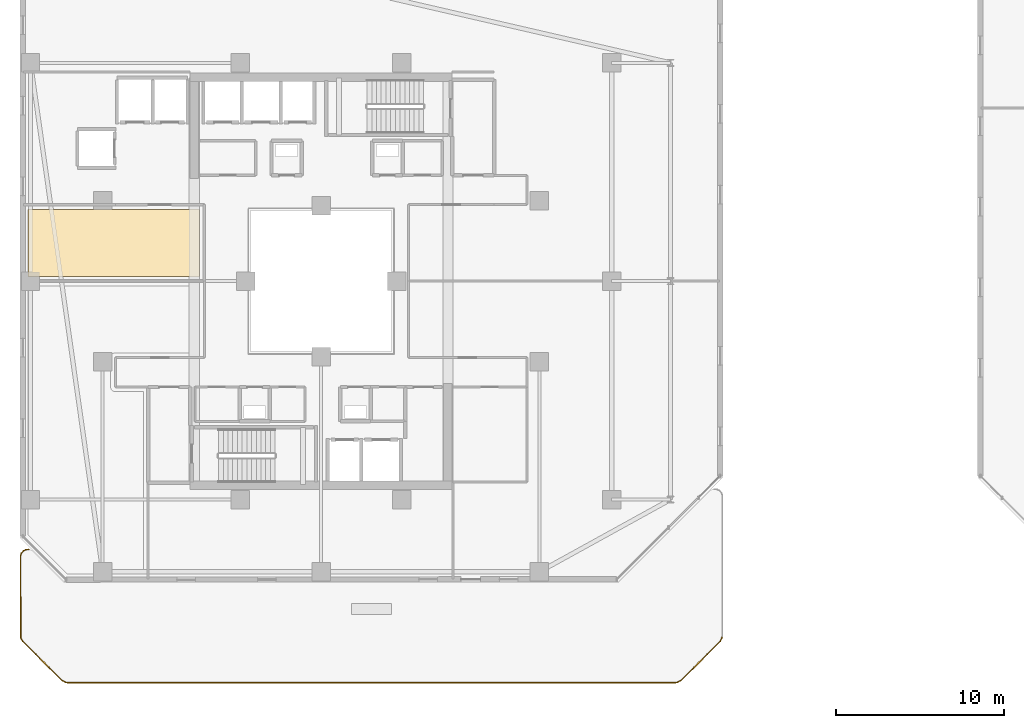
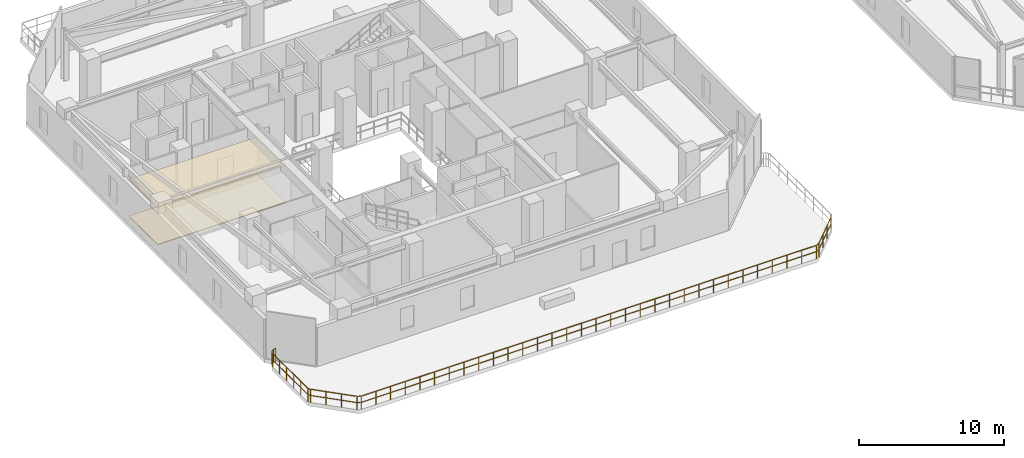
# One storey, part 29 of 33: 2 coverings, 1 railing.
"""IFC4 building model written with IfcOpenShell, lengths in metres."""

from ifc_helpers import new_model, si_unit, direction, frame, origin, origin_2d, place, context, subcontext, project, spatial, polyline, rectangle, outline, extrude, material, layer, layer_set, type_object, element, save


model = new_model("IFC4")

# Units and contexts
model_context = context("Model", 3, precision=1e-05, world=origin(), true_north=direction((0.0, 1.0)))
body_context = subcontext(model_context, "Body", "Model", "MODEL_VIEW")
ifc_project = project(units=[si_unit("LENGTHUNIT", "METRE"), si_unit("AREAUNIT", "SQUARE_METRE"), si_unit("VOLUMEUNIT", "CUBIC_METRE"), si_unit("PLANEANGLEUNIT", "RADIAN"), si_unit("MASSUNIT", "GRAM", prefix="KILO")], contexts=[model_context])

# Site, building, storey
site_placement = place(None, origin())
site = spatial("IfcSite", under=ifc_project, at=site_placement, CompositionType="ELEMENT")
building_placement = place(site_placement, origin())
building = spatial("IfcBuilding", under=site, at=building_placement, Name="Thornwick Lancets Civic Towers", CompositionType="ELEMENT")
storey_placement = place(building_placement, frame((0.0, 0.0, 174.300048828125)))
storey = spatial("IfcBuildingStorey", under=building, at=storey_placement, Name="L46", CompositionType="ELEMENT", Elevation=174.300048828125)

# Coverings
ifc_material_1 = material(Name="Perforated mineral acoustic ceiling tile")
ifc_layer_1 = layer(ifc_material_1, 0.0400390625, Name="Perforated mineral acoustic ceiling tile")
ifc_layer_set_1 = layer_set([ifc_layer_1], Name="Perforated mineral acoustic ceiling tile")
covering_type_1 = type_object("IfcCoveringType", Name="COV_CEIL_ACOUSTIC", PredefinedType="CEILING", material=ifc_layer_set_1)
covering_1_placement = place(storey_placement, frame((0.0, 0.0, 3.10498046875)))
element("IfcCovering", 1, at=covering_1_placement, inside=storey, type_object=covering_type_1, Name="L46 Tower A Policy Briefing Room W2 Ceiling", PredefinedType="CEILING", context=body_context, shape_type="SweptSolid", body=[
    extrude(outline(polyline([(8.06005859375, 31.27001953125), (18.27001953125, 31.27001953125), (18.27001953125, 27.280029296875), (8.06005859375, 27.280029296875), (8.06005859375, 31.27001953125)])), origin(), (0.0, 0.0, 1.0), 0.0400390625),
])
ifc_material_2 = material(Name="Calcium-sulfate raised access floor panel")
ifc_layer_2 = layer(ifc_material_2, 0.050048828125, Name="Calcium-sulfate raised access floor panel")
ifc_layer_set_2 = layer_set([ifc_layer_2], Name="Calcium-sulfate raised access floor panel")
covering_type_2 = type_object("IfcCoveringType", Name="COV_FLOOR_RAISED", PredefinedType="FLOORING", material=ifc_layer_set_2)
covering_2_placement = place(storey_placement, origin())
element("IfcCovering", 2, at=covering_2_placement, inside=storey, type_object=covering_type_2, Name="L46 Tower A Policy Briefing Room W2 Raised Access Flooring", PredefinedType="FLOORING", context=body_context, shape_type="SweptSolid", body=[
    extrude(outline(polyline([(8.06005859375, 31.27001953125), (18.27001953125, 31.27001953125), (18.27001953125, 27.280029296875), (8.06005859375, 27.280029296875), (8.06005859375, 31.27001953125)])), origin(), (0.0, 0.0, 1.0), 0.050048828125),
])

# Railing
ifc_material_3 = material(Name="Terracotta-capped laminated glass balustrade S355", Category="masonry")
railing_type = type_object("IfcRailingType", Name="RAIL_TERR_GUARD", PredefinedType="GUARDRAIL", material=ifc_material_3)
railing_placement = place(storey_placement, frame((49.397705078125, 5.84228515625, 0.0)))
element("IfcRailing", 3, at=railing_placement, inside=storey, type_object=railing_type, Name="L46 Tower A Sky-Garden Guard 1 Part 1", PredefinedType="GUARDRAIL", context=body_context, shape_type="SweptSolid", body=[
    extrude(rectangle(XDim=0.048095703125, YDim=0.048095703125, at=origin_2d()), frame((0.0, 0.0, 1.1259765625), z_axis=(-0.426805098696, -0.904343633652, 0.0), x_axis=(0.904343633652, -0.426805098696, 0.0)), (0.0, 0.0, 1.0), 0.27197265625),
    extrude(rectangle(XDim=0.0419921875, YDim=0.0419921875, at=origin_2d()), frame((-0.01611328125, -0.033935546875, 0.597900390625), z_axis=(-0.426805098696, -0.904343633652, 0.0), x_axis=(0.904343633652, -0.426805098696, 0.0)), (0.0, 0.0, 1.0), 0.228271484375),
    extrude(rectangle(XDim=0.048095703125, YDim=0.048095703125, at=origin_2d()), frame((-0.151611328125, -0.29638671875, 1.1259765625), z_axis=(-0.707106781187, -0.707106781187, 0.0), x_axis=(0.707106781187, -0.707106781187, 0.0)), (0.0, 0.0, 1.0), 3.24169921875),
    extrude(rectangle(XDim=0.0419921875, YDim=0.0419921875, at=origin_2d()), frame((-0.156005859375, -0.30078125, 0.597900390625), z_axis=(-0.707106781187, -0.707106781187, 0.0), x_axis=(0.707106781187, -0.707106781187, 0.0)), (0.0, 0.0, 1.0), 1.0263671875),
    extrude(rectangle(XDim=0.0419921875, YDim=0.0419921875, at=origin_2d()), frame((-0.934814453125, -1.07958984375, 0.597900390625), z_axis=(-0.707106781187, -0.707106781187, 0.0), x_axis=(0.707106781187, -0.707106781187, 0.0)), (0.0, 0.0, 1.0), 1.0263671875),
    extrude(rectangle(XDim=0.0419921875, YDim=0.0419921875, at=origin_2d()), frame((-1.713623046875, -1.8583984375, 0.597900390625), z_axis=(-0.707106781187, -0.707106781187, 0.0), x_axis=(0.707106781187, -0.707106781187, 0.0)), (0.0, 0.0, 1.0), 1.0263671875),
    extrude(rectangle(XDim=0.048095703125, YDim=0.048095703125, at=origin_2d()), frame((-2.494140625, -2.6240234375, 1.1259765625), z_axis=(-0.904343633652, -0.426805098696, 0.0), x_axis=(0.426805098696, -0.904343633652, 0.0)), (0.0, 0.0, 1.0), 0.24072265625),
    extrude(rectangle(XDim=0.0419921875, YDim=0.0419921875, at=origin_2d()), frame((-2.499755859375, -2.626708984375, 0.597900390625), z_axis=(-0.904343633652, -0.426805098696, 0.0), x_axis=(0.426805098696, -0.904343633652, 0.0)), (0.0, 0.0, 1.0), 0.228271484375),
    extrude(rectangle(XDim=0.048095703125, YDim=0.048095703125, at=origin_2d()), frame((-2.771240234375, -2.739990234375, 1.1259765625), z_axis=(-1.0, 0.0, 0.0), x_axis=(0.0, -1.0, 0.0)), (0.0, 0.0, 1.0), 36.2529296875),
    extrude(rectangle(XDim=0.0419921875, YDim=0.0419921875, at=origin_2d()), frame((-2.777587890625, -2.739990234375, 0.597900390625), z_axis=(-1.0, 0.0, 0.0), x_axis=(0.0, -1.0, 0.0)), (0.0, 0.0, 1.0), 1.096435546875),
    extrude(rectangle(XDim=0.0419921875, YDim=0.0419921875, at=origin_2d()), frame((-3.948974609375, -2.739990234375, 0.597900390625), z_axis=(-1.0, 0.0, 0.0), x_axis=(0.0, -1.0, 0.0)), (0.0, 0.0, 1.0), 1.096435546875),
    extrude(rectangle(XDim=0.0419921875, YDim=0.0419921875, at=origin_2d()), frame((-5.120361328125, -2.739990234375, 0.597900390625), z_axis=(-1.0, 0.0, 0.0), x_axis=(0.0, -1.0, 0.0)), (0.0, 0.0, 1.0), 1.096435546875),
    extrude(rectangle(XDim=0.0419921875, YDim=0.0419921875, at=origin_2d()), frame((-6.2919921875, -2.739990234375, 0.597900390625), z_axis=(-1.0, 0.0, 0.0), x_axis=(0.0, -1.0, 0.0)), (0.0, 0.0, 1.0), 1.096435546875),
    extrude(rectangle(XDim=0.0419921875, YDim=0.0419921875, at=origin_2d()), frame((-7.46337890625, -2.739990234375, 0.597900390625), z_axis=(-1.0, 0.0, 0.0), x_axis=(0.0, -1.0, 0.0)), (0.0, 0.0, 1.0), 1.096435546875),
    extrude(rectangle(XDim=0.0419921875, YDim=0.0419921875, at=origin_2d()), frame((-8.634765625, -2.739990234375, 0.597900390625), z_axis=(-1.0, 0.0, 0.0), x_axis=(0.0, -1.0, 0.0)), (0.0, 0.0, 1.0), 1.096435546875),
    extrude(rectangle(XDim=0.0419921875, YDim=0.0419921875, at=origin_2d()), frame((-9.806396484375, -2.739990234375, 0.597900390625), z_axis=(-1.0, 0.0, 0.0), x_axis=(0.0, -1.0, 0.0)), (0.0, 0.0, 1.0), 1.096435546875),
    extrude(rectangle(XDim=0.0419921875, YDim=0.0419921875, at=origin_2d()), frame((-10.977783203125, -2.739990234375, 0.597900390625), z_axis=(-1.0, 0.0, 0.0), x_axis=(0.0, -1.0, 0.0)), (0.0, 0.0, 1.0), 1.096435546875),
    extrude(rectangle(XDim=0.0419921875, YDim=0.0419921875, at=origin_2d()), frame((-12.149169921875, -2.739990234375, 0.597900390625), z_axis=(-1.0, 0.0, 0.0), x_axis=(0.0, -1.0, 0.0)), (0.0, 0.0, 1.0), 1.096435546875),
    extrude(rectangle(XDim=0.0419921875, YDim=0.0419921875, at=origin_2d()), frame((-13.320556640625, -2.739990234375, 0.597900390625), z_axis=(-1.0, 0.0, 0.0), x_axis=(0.0, -1.0, 0.0)), (0.0, 0.0, 1.0), 1.096435546875),
    extrude(rectangle(XDim=0.0419921875, YDim=0.0419921875, at=origin_2d()), frame((-14.4921875, -2.739990234375, 0.597900390625), z_axis=(-1.0, 0.0, 0.0), x_axis=(0.0, -1.0, 0.0)), (0.0, 0.0, 1.0), 1.096435546875),
    extrude(rectangle(XDim=0.0419921875, YDim=0.0419921875, at=origin_2d()), frame((-15.66357421875, -2.739990234375, 0.597900390625), z_axis=(-1.0, 0.0, 0.0), x_axis=(0.0, -1.0, 0.0)), (0.0, 0.0, 1.0), 1.096435546875),
    extrude(rectangle(XDim=0.0419921875, YDim=0.0419921875, at=origin_2d()), frame((-16.8349609375, -2.739990234375, 0.597900390625), z_axis=(-1.0, 0.0, 0.0), x_axis=(0.0, -1.0, 0.0)), (0.0, 0.0, 1.0), 1.096435546875),
    extrude(rectangle(XDim=0.0419921875, YDim=0.0419921875, at=origin_2d()), frame((-18.006591796875, -2.739990234375, 0.597900390625), z_axis=(-1.0, 0.0, 0.0), x_axis=(0.0, -1.0, 0.0)), (0.0, 0.0, 1.0), 1.096435546875),
    extrude(rectangle(XDim=0.0419921875, YDim=0.0419921875, at=origin_2d()), frame((-19.177978515625, -2.739990234375, 0.597900390625), z_axis=(-1.0, 0.0, 0.0), x_axis=(0.0, -1.0, 0.0)), (0.0, 0.0, 1.0), 1.096435546875),
    extrude(rectangle(XDim=0.0419921875, YDim=0.0419921875, at=origin_2d()), frame((-20.349365234375, -2.739990234375, 0.597900390625), z_axis=(-1.0, 0.0, 0.0), x_axis=(0.0, -1.0, 0.0)), (0.0, 0.0, 1.0), 1.096435546875),
    extrude(rectangle(XDim=0.0419921875, YDim=0.0419921875, at=origin_2d()), frame((-21.52099609375, -2.739990234375, 0.597900390625), z_axis=(-1.0, 0.0, 0.0), x_axis=(0.0, -1.0, 0.0)), (0.0, 0.0, 1.0), 1.096435546875),
    extrude(rectangle(XDim=0.0419921875, YDim=0.0419921875, at=origin_2d()), frame((-22.6923828125, -2.739990234375, 0.597900390625), z_axis=(-1.0, 0.0, 0.0), x_axis=(0.0, -1.0, 0.0)), (0.0, 0.0, 1.0), 1.096435546875),
    extrude(rectangle(XDim=0.0419921875, YDim=0.0419921875, at=origin_2d()), frame((-23.86376953125, -2.739990234375, 0.597900390625), z_axis=(-1.0, 0.0, 0.0), x_axis=(0.0, -1.0, 0.0)), (0.0, 0.0, 1.0), 1.096435546875),
    extrude(rectangle(XDim=0.0419921875, YDim=0.0419921875, at=origin_2d()), frame((-25.035400390625, -2.739990234375, 0.597900390625), z_axis=(-1.0, 0.0, 0.0), x_axis=(0.0, -1.0, 0.0)), (0.0, 0.0, 1.0), 1.096435546875),
    extrude(rectangle(XDim=0.0419921875, YDim=0.0419921875, at=origin_2d()), frame((-26.206787109375, -2.739990234375, 0.597900390625), z_axis=(-1.0, 0.0, 0.0), x_axis=(0.0, -1.0, 0.0)), (0.0, 0.0, 1.0), 1.096435546875),
    extrude(rectangle(XDim=0.0419921875, YDim=0.0419921875, at=origin_2d()), frame((-27.378173828125, -2.739990234375, 0.597900390625), z_axis=(-1.0, 0.0, 0.0), x_axis=(0.0, -1.0, 0.0)), (0.0, 0.0, 1.0), 1.096435546875),
    extrude(rectangle(XDim=0.0419921875, YDim=0.0419921875, at=origin_2d()), frame((-28.5498046875, -2.739990234375, 0.597900390625), z_axis=(-1.0, 0.0, 0.0), x_axis=(0.0, -1.0, 0.0)), (0.0, 0.0, 1.0), 1.096435546875),
    extrude(rectangle(XDim=0.0419921875, YDim=0.0419921875, at=origin_2d()), frame((-29.72119140625, -2.739990234375, 0.597900390625), z_axis=(-1.0, 0.0, 0.0), x_axis=(0.0, -1.0, 0.0)), (0.0, 0.0, 1.0), 1.096435546875),
    extrude(rectangle(XDim=0.0419921875, YDim=0.0419921875, at=origin_2d()), frame((-30.892578125, -2.739990234375, 0.597900390625), z_axis=(-1.0, 0.0, 0.0), x_axis=(0.0, -1.0, 0.0)), (0.0, 0.0, 1.0), 1.096435546875),
    extrude(rectangle(XDim=0.0419921875, YDim=0.0419921875, at=origin_2d()), frame((-32.064208984375, -2.739990234375, 0.597900390625), z_axis=(-1.0, 0.0, 0.0), x_axis=(0.0, -1.0, 0.0)), (0.0, 0.0, 1.0), 1.096435546875),
    extrude(rectangle(XDim=0.0419921875, YDim=0.0419921875, at=origin_2d()), frame((-33.235595703125, -2.739990234375, 0.597900390625), z_axis=(-1.0, 0.0, 0.0), x_axis=(0.0, -1.0, 0.0)), (0.0, 0.0, 1.0), 1.096435546875),
    extrude(rectangle(XDim=0.0419921875, YDim=0.0419921875, at=origin_2d()), frame((-34.406982421875, -2.739990234375, 0.597900390625), z_axis=(-1.0, 0.0, 0.0), x_axis=(0.0, -1.0, 0.0)), (0.0, 0.0, 1.0), 1.096435546875),
    extrude(rectangle(XDim=0.0419921875, YDim=0.0419921875, at=origin_2d()), frame((-35.57861328125, -2.739990234375, 0.597900390625), z_axis=(-1.0, 0.0, 0.0), x_axis=(0.0, -1.0, 0.0)), (0.0, 0.0, 1.0), 1.096435546875),
    extrude(rectangle(XDim=0.0419921875, YDim=0.0419921875, at=origin_2d()), frame((-36.75, -2.739990234375, 0.597900390625), z_axis=(-1.0, 0.0, 0.0), x_axis=(0.0, -1.0, 0.0)), (0.0, 0.0, 1.0), 1.096435546875),
    extrude(rectangle(XDim=0.0419921875, YDim=0.0419921875, at=origin_2d()), frame((-37.92138671875, -2.739990234375, 0.597900390625), z_axis=(-1.0, 0.0, 0.0), x_axis=(0.0, -1.0, 0.0)), (0.0, 0.0, 1.0), 1.096435546875),
    extrude(rectangle(XDim=0.048095703125, YDim=0.048095703125, at=origin_2d()), frame((-39.083740234375, -2.7265625, 1.1259765625), z_axis=(-0.904343633652, 0.426805098696, 0.0), x_axis=(-0.426805098696, -0.904343633652, 0.0)), (0.0, 0.0, 1.0), 0.24072265625),
    extrude(rectangle(XDim=0.0419921875, YDim=0.0419921875, at=origin_2d()), frame((-39.08935546875, -2.723876953125, 0.597900390625), z_axis=(-0.904343633652, 0.426805098696, 0.0), x_axis=(-0.426805098696, -0.904343633652, 0.0)), (0.0, 0.0, 1.0), 0.228271484375),
    extrude(rectangle(XDim=0.048095703125, YDim=0.048095703125, at=origin_2d()), frame((-39.351806640625, -2.58837890625, 1.1259765625), z_axis=(-0.707106781187, 0.707106781187, 0.0), x_axis=(-0.707106781187, -0.707106781187, 0.0)), (0.0, 0.0, 1.0), 3.24169921875),
    extrude(rectangle(XDim=0.0419921875, YDim=0.0419921875, at=origin_2d()), frame((-39.356201171875, -2.583984375, 0.597900390625), z_axis=(-0.707106781187, 0.707106781187, 0.0), x_axis=(-0.707106781187, -0.707106781187, 0.0)), (0.0, 0.0, 1.0), 1.0263671875),
    extrude(rectangle(XDim=0.0419921875, YDim=0.0419921875, at=origin_2d()), frame((-40.135009765625, -1.80517578125, 0.597900390625), z_axis=(-0.707106781187, 0.707106781187, 0.0), x_axis=(-0.707106781187, -0.707106781187, 0.0)), (0.0, 0.0, 1.0), 1.0263671875),
    extrude(rectangle(XDim=0.0419921875, YDim=0.0419921875, at=origin_2d()), frame((-40.913818359375, -1.0263671875, 0.597900390625), z_axis=(-0.707106781187, 0.707106781187, 0.0), x_axis=(-0.707106781187, -0.707106781187, 0.0)), (0.0, 0.0, 1.0), 1.0263671875),
    extrude(rectangle(XDim=0.048095703125, YDim=0.048095703125, at=origin_2d()), frame((-41.68212890625, -0.247314453125, 1.1259765625), z_axis=(-0.513346500392, 0.858181432178, 0.0), x_axis=(-0.858181432178, -0.513346500392, 0.0)), (0.0, 0.0, 1.0), 0.15625),
    extrude(rectangle(XDim=0.0419921875, YDim=0.0419921875, at=origin_2d()), frame((-41.685302734375, -0.241943359375, 0.597900390625), z_axis=(-0.513346500392, 0.858181432178, 0.0), x_axis=(-0.858181432178, -0.513346500392, 0.0)), (0.0, 0.0, 1.0), 0.143798828125),
    extrude(rectangle(XDim=0.048095703125, YDim=0.048095703125, at=origin_2d()), frame((-41.7783203125, -0.05517578125, 1.1259765625), z_axis=(-0.003506641099, 0.999993851715, 0.0), x_axis=(-0.999993851715, -0.003506641099, 0.0)), (0.0, 0.0, 1.0), 4.81103515625),
    extrude(rectangle(XDim=0.0419921875, YDim=0.0419921875, at=origin_2d()), frame((-41.778564453125, -0.048828125, 0.597900390625), z_axis=(-0.003506641099, 0.999993851715, 0.0), x_axis=(-0.999993851715, -0.003506641099, 0.0)), (0.0, 0.0, 1.0), 0.899658203125),
    extrude(rectangle(XDim=0.0419921875, YDim=0.0419921875, at=origin_2d()), frame((-41.781982421875, 0.92578125, 0.597900390625), z_axis=(-0.003506641099, 0.999993851715, 0.0), x_axis=(-0.999993851715, -0.003506641099, 0.0)), (0.0, 0.0, 1.0), 0.899658203125),
    extrude(rectangle(XDim=0.0419921875, YDim=0.0419921875, at=origin_2d()), frame((-41.785400390625, 1.900390625, 0.597900390625), z_axis=(-0.003506641099, 0.999993851715, 0.0), x_axis=(-0.999993851715, -0.003506641099, 0.0)), (0.0, 0.0, 1.0), 0.899658203125),
    extrude(rectangle(XDim=0.0419921875, YDim=0.0419921875, at=origin_2d()), frame((-41.788818359375, 2.875244140625, 0.597900390625), z_axis=(-0.003506641099, 0.999993851715, 0.0), x_axis=(-0.999993851715, -0.003506641099, 0.0)), (0.0, 0.0, 1.0), 0.899658203125),
    extrude(rectangle(XDim=0.0419921875, YDim=0.0419921875, at=origin_2d()), frame((-41.792236328125, 3.849853515625, 0.597900390625), z_axis=(-0.003506641099, 0.999993851715, 0.0), x_axis=(-0.999993851715, -0.003506641099, 0.0)), (0.0, 0.0, 1.0), 0.899658203125),
    extrude(rectangle(XDim=0.048095703125, YDim=0.048095703125, at=origin_2d()), frame((-41.786376953125, 4.817138671875, 1.1259765625), z_axis=(0.289389501276, 0.957211427299, 0.0), x_axis=(-0.957211427299, 0.289389501276, 0.0)), (0.0, 0.0, 1.0), 0.113037109375),
    extrude(rectangle(XDim=0.0419921875, YDim=0.0419921875, at=origin_2d()), frame((-41.78466796875, 4.822998046875, 0.597900390625), z_axis=(0.289389501276, 0.957211427299, 0.0), x_axis=(-0.957211427299, 0.289389501276, 0.0)), (0.0, 0.0, 1.0), 0.1005859375),
    extrude(rectangle(XDim=0.048095703125, YDim=0.048095703125, at=origin_2d()), frame((-41.724853515625, 4.979248046875, 1.1259765625), z_axis=(0.634146109242, 0.773213238462, 0.0), x_axis=(-0.773213238462, 0.634146109242, 0.0)), (0.0, 0.0, 1.0), 0.113037109375),
    extrude(rectangle(XDim=0.0419921875, YDim=0.0419921875, at=origin_2d()), frame((-41.720947265625, 4.984130859375, 0.597900390625), z_axis=(0.634146109242, 0.773213238462, 0.0), x_axis=(-0.773213238462, 0.634146109242, 0.0)), (0.0, 0.0, 1.0), 0.1005859375),
    extrude(rectangle(XDim=0.048095703125, YDim=0.048095703125, at=origin_2d()), frame((-41.605712890625, 5.10546875, 1.1259765625), z_axis=(0.882160586654, 0.470948722639, 0.0), x_axis=(-0.470948722639, 0.882160586654, 0.0)), (0.0, 0.0, 1.0), 0.11328125),
    extrude(rectangle(XDim=0.0419921875, YDim=0.0419921875, at=origin_2d()), frame((-41.600341796875, 5.1083984375, 0.597900390625), z_axis=(0.882160586654, 0.470948722639, 0.0), x_axis=(-0.470948722639, 0.882160586654, 0.0)), (0.0, 0.0, 1.0), 0.100830078125),
    extrude(rectangle(XDim=0.048095703125, YDim=0.048095703125, at=origin_2d()), frame((-41.447265625, 5.176513671875, 1.1259765625), z_axis=(0.99556264392, 0.094101126617, 0.0), x_axis=(-0.094101126617, 0.99556264392, 0.0)), (0.0, 0.0, 1.0), 0.147705078125),
    extrude(rectangle(XDim=0.0419921875, YDim=0.0419921875, at=origin_2d()), frame((-41.44091796875, 5.177001953125, 0.597900390625), z_axis=(0.99556264392, 0.094101126617, 0.0), x_axis=(-0.094101126617, 0.99556264392, 0.0)), (0.0, 0.0, 1.0), 0.10400390625),
    extrude(rectangle(XDim=0.0419921875, YDim=0.0419921875, at=origin_2d()), origin(), (0.0, 0.0, 1.0), 1.095703125),
    extrude(rectangle(XDim=0.0419921875, YDim=0.0419921875, at=origin_2d()), frame((-0.12939453125, -0.274169921875, 0.0)), (0.0, 0.0, 1.0), 1.095703125),
    extrude(rectangle(XDim=0.0419921875, YDim=0.0419921875, at=origin_2d()), frame((-0.908203125, -1.052978515625, 0.0)), (0.0, 0.0, 1.0), 1.095703125),
    extrude(rectangle(XDim=0.0419921875, YDim=0.0419921875, at=origin_2d()), frame((-1.68701171875, -1.831787109375, 0.0)), (0.0, 0.0, 1.0), 1.095703125),
    extrude(rectangle(XDim=0.0419921875, YDim=0.0419921875, at=origin_2d()), frame((-2.4658203125, -2.610595703125, 0.0)), (0.0, 0.0, 1.0), 1.095703125),
    extrude(rectangle(XDim=0.0419921875, YDim=0.0419921875, at=origin_2d()), frame((-2.739990234375, -2.739990234375, 0.0)), (0.0, 0.0, 1.0), 1.095703125),
    extrude(rectangle(XDim=0.0419921875, YDim=0.0419921875, at=origin_2d()), frame((-3.911376953125, -2.739990234375, 0.0)), (0.0, 0.0, 1.0), 1.095703125),
    extrude(rectangle(XDim=0.0419921875, YDim=0.0419921875, at=origin_2d()), frame((-5.0830078125, -2.739990234375, 0.0)), (0.0, 0.0, 1.0), 1.095703125),
    extrude(rectangle(XDim=0.0419921875, YDim=0.0419921875, at=origin_2d()), frame((-6.25439453125, -2.739990234375, 0.0)), (0.0, 0.0, 1.0), 1.095703125),
    extrude(rectangle(XDim=0.0419921875, YDim=0.0419921875, at=origin_2d()), frame((-7.42578125, -2.739990234375, 0.0)), (0.0, 0.0, 1.0), 1.095703125),
    extrude(rectangle(XDim=0.0419921875, YDim=0.0419921875, at=origin_2d()), frame((-8.597412109375, -2.739990234375, 0.0)), (0.0, 0.0, 1.0), 1.095703125),
    extrude(rectangle(XDim=0.0419921875, YDim=0.0419921875, at=origin_2d()), frame((-9.768798828125, -2.739990234375, 0.0)), (0.0, 0.0, 1.0), 1.095703125),
    extrude(rectangle(XDim=0.0419921875, YDim=0.0419921875, at=origin_2d()), frame((-10.940185546875, -2.739990234375, 0.0)), (0.0, 0.0, 1.0), 1.095703125),
    extrude(rectangle(XDim=0.0419921875, YDim=0.0419921875, at=origin_2d()), frame((-12.11181640625, -2.739990234375, 0.0)), (0.0, 0.0, 1.0), 1.095703125),
    extrude(rectangle(XDim=0.0419921875, YDim=0.0419921875, at=origin_2d()), frame((-13.283203125, -2.739990234375, 0.0)), (0.0, 0.0, 1.0), 1.095703125),
    extrude(rectangle(XDim=0.0419921875, YDim=0.0419921875, at=origin_2d()), frame((-14.45458984375, -2.739990234375, 0.0)), (0.0, 0.0, 1.0), 1.095703125),
    extrude(rectangle(XDim=0.0419921875, YDim=0.0419921875, at=origin_2d()), frame((-15.626220703125, -2.739990234375, 0.0)), (0.0, 0.0, 1.0), 1.095703125),
    extrude(rectangle(XDim=0.0419921875, YDim=0.0419921875, at=origin_2d()), frame((-16.797607421875, -2.739990234375, 0.0)), (0.0, 0.0, 1.0), 1.095703125),
    extrude(rectangle(XDim=0.0419921875, YDim=0.0419921875, at=origin_2d()), frame((-17.968994140625, -2.739990234375, 0.0)), (0.0, 0.0, 1.0), 1.095703125),
    extrude(rectangle(XDim=0.0419921875, YDim=0.0419921875, at=origin_2d()), frame((-19.140625, -2.739990234375, 0.0)), (0.0, 0.0, 1.0), 1.095703125),
    extrude(rectangle(XDim=0.0419921875, YDim=0.0419921875, at=origin_2d()), frame((-20.31201171875, -2.739990234375, 0.0)), (0.0, 0.0, 1.0), 1.095703125),
    extrude(rectangle(XDim=0.0419921875, YDim=0.0419921875, at=origin_2d()), frame((-21.4833984375, -2.739990234375, 0.0)), (0.0, 0.0, 1.0), 1.095703125),
    extrude(rectangle(XDim=0.0419921875, YDim=0.0419921875, at=origin_2d()), frame((-22.65478515625, -2.739990234375, 0.0)), (0.0, 0.0, 1.0), 1.095703125),
    extrude(rectangle(XDim=0.0419921875, YDim=0.0419921875, at=origin_2d()), frame((-23.826416015625, -2.739990234375, 0.0)), (0.0, 0.0, 1.0), 1.095703125),
    extrude(rectangle(XDim=0.0419921875, YDim=0.0419921875, at=origin_2d()), frame((-24.997802734375, -2.739990234375, 0.0)), (0.0, 0.0, 1.0), 1.095703125),
    extrude(rectangle(XDim=0.0419921875, YDim=0.0419921875, at=origin_2d()), frame((-26.169189453125, -2.739990234375, 0.0)), (0.0, 0.0, 1.0), 1.095703125),
    extrude(rectangle(XDim=0.0419921875, YDim=0.0419921875, at=origin_2d()), frame((-27.3408203125, -2.739990234375, 0.0)), (0.0, 0.0, 1.0), 1.095703125),
    extrude(rectangle(XDim=0.0419921875, YDim=0.0419921875, at=origin_2d()), frame((-28.51220703125, -2.739990234375, 0.0)), (0.0, 0.0, 1.0), 1.095703125),
    extrude(rectangle(XDim=0.0419921875, YDim=0.0419921875, at=origin_2d()), frame((-29.68359375, -2.739990234375, 0.0)), (0.0, 0.0, 1.0), 1.095703125),
    extrude(rectangle(XDim=0.0419921875, YDim=0.0419921875, at=origin_2d()), frame((-30.855224609375, -2.739990234375, 0.0)), (0.0, 0.0, 1.0), 1.095703125),
    extrude(rectangle(XDim=0.0419921875, YDim=0.0419921875, at=origin_2d()), frame((-32.026611328125, -2.739990234375, 0.0)), (0.0, 0.0, 1.0), 1.095703125),
    extrude(rectangle(XDim=0.0419921875, YDim=0.0419921875, at=origin_2d()), frame((-33.197998046875, -2.739990234375, 0.0)), (0.0, 0.0, 1.0), 1.095703125),
    extrude(rectangle(XDim=0.0419921875, YDim=0.0419921875, at=origin_2d()), frame((-34.36962890625, -2.739990234375, 0.0)), (0.0, 0.0, 1.0), 1.095703125),
    extrude(rectangle(XDim=0.0419921875, YDim=0.0419921875, at=origin_2d()), frame((-35.541015625, -2.739990234375, 0.0)), (0.0, 0.0, 1.0), 1.095703125),
    extrude(rectangle(XDim=0.0419921875, YDim=0.0419921875, at=origin_2d()), frame((-36.71240234375, -2.739990234375, 0.0)), (0.0, 0.0, 1.0), 1.095703125),
    extrude(rectangle(XDim=0.0419921875, YDim=0.0419921875, at=origin_2d()), frame((-37.884033203125, -2.739990234375, 0.0)), (0.0, 0.0, 1.0), 1.095703125),
    extrude(rectangle(XDim=0.0419921875, YDim=0.0419921875, at=origin_2d()), frame((-39.055419921875, -2.739990234375, 0.0)), (0.0, 0.0, 1.0), 1.095703125),
    extrude(rectangle(XDim=0.0419921875, YDim=0.0419921875, at=origin_2d()), frame((-39.32958984375, -2.610595703125, 0.0)), (0.0, 0.0, 1.0), 1.095703125),
    extrude(rectangle(XDim=0.0419921875, YDim=0.0419921875, at=origin_2d()), frame((-40.1083984375, -1.831787109375, 0.0)), (0.0, 0.0, 1.0), 1.095703125),
    extrude(rectangle(XDim=0.0419921875, YDim=0.0419921875, at=origin_2d()), frame((-40.88720703125, -1.052978515625, 0.0)), (0.0, 0.0, 1.0), 1.095703125),
    extrude(rectangle(XDim=0.0419921875, YDim=0.0419921875, at=origin_2d()), frame((-41.666015625, -0.274169921875, 0.0)), (0.0, 0.0, 1.0), 1.095703125),
    extrude(rectangle(XDim=0.0419921875, YDim=0.0419921875, at=origin_2d()), frame((-41.7783203125, -0.08642578125, 0.0)), (0.0, 0.0, 1.0), 1.095703125),
    extrude(rectangle(XDim=0.0419921875, YDim=0.0419921875, at=origin_2d()), frame((-41.78173828125, 0.88818359375, 0.0)), (0.0, 0.0, 1.0), 1.095703125),
    extrude(rectangle(XDim=0.0419921875, YDim=0.0419921875, at=origin_2d()), frame((-41.78515625, 1.863037109375, 0.0)), (0.0, 0.0, 1.0), 1.095703125),
    extrude(rectangle(XDim=0.0419921875, YDim=0.0419921875, at=origin_2d()), frame((-41.78857421875, 2.837646484375, 0.0)), (0.0, 0.0, 1.0), 1.095703125),
    extrude(rectangle(XDim=0.0419921875, YDim=0.0419921875, at=origin_2d()), frame((-41.7919921875, 3.8125, 0.0)), (0.0, 0.0, 1.0), 1.095703125),
    extrude(rectangle(XDim=0.0419921875, YDim=0.0419921875, at=origin_2d()), frame((-41.79541015625, 4.787109375, 0.0)), (0.0, 0.0, 1.0), 1.095703125),
    extrude(rectangle(XDim=0.0419921875, YDim=0.0419921875, at=origin_2d()), frame((-41.74462890625, 4.955078125, 0.0)), (0.0, 0.0, 1.0), 1.095703125),
    extrude(rectangle(XDim=0.0419921875, YDim=0.0419921875, at=origin_2d()), frame((-41.63330078125, 5.0908203125, 0.0)), (0.0, 0.0, 1.0), 1.095703125),
    extrude(rectangle(XDim=0.0419921875, YDim=0.0419921875, at=origin_2d()), frame((-41.478271484375, 5.173583984375, 0.0)), (0.0, 0.0, 1.0), 1.095703125),
    extrude(rectangle(XDim=0.0419921875, YDim=0.0419921875, at=origin_2d()), frame((-41.300048828125, 5.1904296875, 0.0)), (0.0, 0.0, 1.0), 1.095703125),
])

save(model, "model.ifc")
